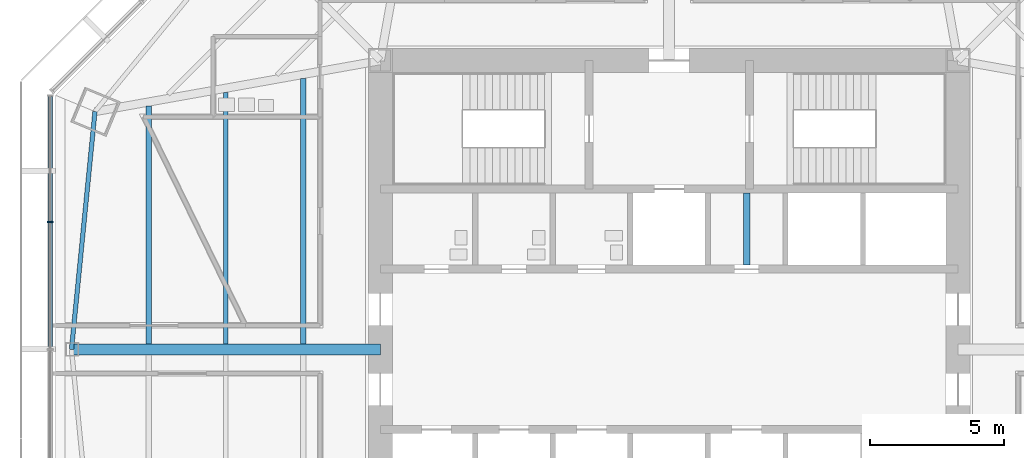
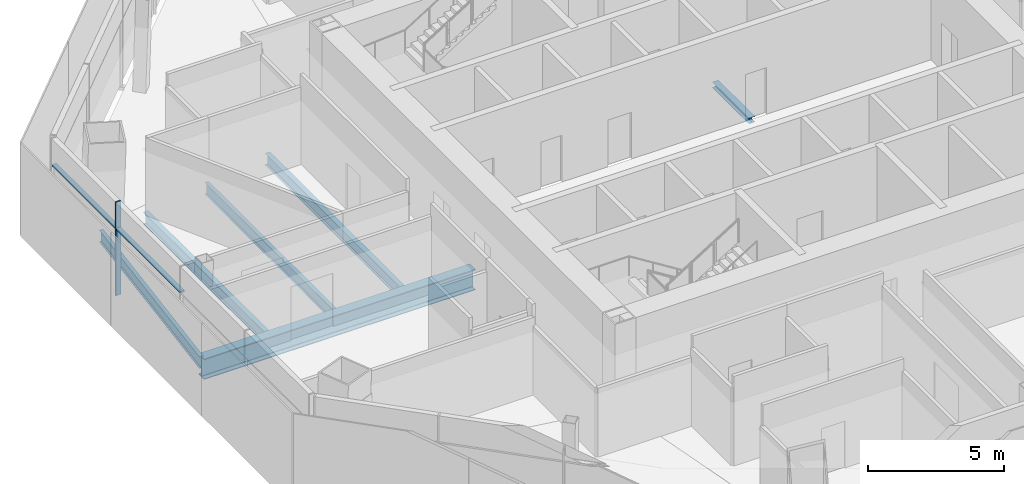
# One storey, part 3 of 15: 6 beams, 3 members, 1 element without a shape of its own.
"""IFC4 building model written with IfcOpenShell, lengths in metres."""

from ifc_helpers import new_model, si_unit, direction, frame, origin, origin_2d, place, context, subcontext, project, spatial, rectangle, i_section, extrude, source, transform, mapped, material, material_profile, profile_set, type_object, type_shapes, element, aggregate, save


model = new_model("IFC4")

# Units and contexts
model_context = context("Model", 3, precision=1e-05, world=origin(), true_north=direction((0.0, 1.0)))
body_context = subcontext(model_context, "Body", "Model", "MODEL_VIEW")
ifc_project = project(units=[si_unit("LENGTHUNIT", "METRE"), si_unit("AREAUNIT", "SQUARE_METRE"), si_unit("VOLUMEUNIT", "CUBIC_METRE"), si_unit("PLANEANGLEUNIT", "RADIAN"), si_unit("MASSUNIT", "GRAM", prefix="KILO")], contexts=[model_context])

# Site, building, storey
site_placement = place(None, origin())
site = spatial("IfcSite", under=ifc_project, at=site_placement, CompositionType="ELEMENT")
building_placement = place(site_placement, origin())
building = spatial("IfcBuilding", under=site, at=building_placement, Name="Mashrafa Tower", CompositionType="ELEMENT")
storey_placement = place(building_placement, frame((0.0, 0.0, 172.199951171875)))
storey = spatial("IfcBuildingStorey", under=building, at=storey_placement, Name="L39", CompositionType="ELEMENT", Elevation=172.199951171875)

# Beams
ifc_material_1 = material(Name="Steel ASTM A992", Category="steel")
ifc_material_profile_1 = material_profile(ifc_material_1, i_section(OverallWidth=0.1650390625, OverallDepth=0.52587890625, WebThickness=0.0087890625, FlangeThickness=0.011474609375, FilletRadius=0.0126953125, at=origin_2d()), Name="W21X44")
ifc_profile_set_1 = profile_set([ifc_material_profile_1], Name="Steel ASTM A992")
beam_type_1 = type_object("IfcBeamType", Name="Beam W21X44", PredefinedType="BEAM", material=ifc_profile_set_1)
beam_1_placement = place(storey_placement, frame((-16.573974609375, 0.20947265625, -0.427734375), z_axis=(0.0, 1.0, 0.0), x_axis=(-1.0, 0.0, 0.0)))
element("IfcBeam", 1, at=beam_1_placement, inside=storey, type_object=beam_type_1, Name="Floor beam L39 005", PredefinedType="BEAM", context=body_context, shape_type="SweptSolid", body=[
    extrude(i_section(OverallWidth=0.1650390625, OverallDepth=0.52587890625, WebThickness=0.0087890625, FlangeThickness=0.011474609375, FilletRadius=0.0126953125, at=origin_2d()), origin(), (0.0, 0.0, 1.0), 9.402587890625),
])
beam_2_placement = place(storey_placement, frame((-21.469970703125, 8.89306640625, -0.427734375), z_axis=(-0.098270183346, -0.995159771627, 0.0), x_axis=(0.995159771627, -0.098270183346, 0.0)))
element("IfcBeam", 2, at=beam_2_placement, inside=storey, type_object=beam_type_1, Name="Spandrel beam L39 059", PredefinedType="BEAM", context=body_context, shape_type="SweptSolid", body=[
    extrude(i_section(OverallWidth=0.1650390625, OverallDepth=0.52587890625, WebThickness=0.0087890625, FlangeThickness=0.011474609375, FilletRadius=0.0126953125, at=origin_2d()), origin(), (0.0, 0.0, 1.0), 8.936279296875),
])
ifc_material_2 = material(Name="Steel ASTM A992", Category="steel")
ifc_material_profile_2 = material_profile(ifc_material_2, i_section(OverallWidth=0.209228515625, OverallDepth=0.533447265625, WebThickness=0.01025390625, FlangeThickness=0.015625, FilletRadius=0.012939453125, at=origin_2d()), Name="W21X62")
ifc_profile_set_2 = profile_set([ifc_material_profile_2], Name="Steel ASTM A992")
beam_type_2 = type_object("IfcBeamType", Name="Beam W21X62", PredefinedType="BEAM", material=ifc_profile_set_2)
beam_3_placement = place(storey_placement, frame((-19.461181640625, 0.20947265625, -0.431640625), z_axis=(0.0, 1.0, 0.0), x_axis=(-1.0, 0.0, 0.0)))
element("IfcBeam", 3, at=beam_3_placement, inside=storey, type_object=beam_type_2, Name="Floor beam L39 002", PredefinedType="BEAM", context=body_context, shape_type="SweptSolid", body=[
    extrude(i_section(OverallWidth=0.209228515625, OverallDepth=0.533447265625, WebThickness=0.01025390625, FlangeThickness=0.015625, FilletRadius=0.012939453125, at=origin_2d()), origin(), (0.0, 0.0, 1.0), 8.886474609375),
])
beam_4_placement = place(storey_placement, frame((-13.68701171875, 0.20947265625, -0.431640625), z_axis=(0.0, 1.0, 0.0), x_axis=(-1.0, 0.0, 0.0)))
element("IfcBeam", 4, at=beam_4_placement, inside=storey, type_object=beam_type_2, Name="Floor beam L39 010", PredefinedType="BEAM", context=body_context, shape_type="SweptSolid", body=[
    extrude(i_section(OverallWidth=0.209228515625, OverallDepth=0.533447265625, WebThickness=0.01025390625, FlangeThickness=0.015625, FilletRadius=0.012939453125, at=origin_2d()), origin(), (0.0, 0.0, 1.0), 9.91845703125),
])
ifc_material_3 = material(Name="Steel ASTM A992", Category="steel")
ifc_material_profile_3 = material_profile(ifc_material_3, i_section(OverallWidth=0.419189453125, OverallDepth=0.927001953125, WebThickness=0.019287109375, FlangeThickness=0.031982421875, FilletRadius=0.020263671875, at=origin_2d()), Name="W36X231")
ifc_profile_set_3 = profile_set([ifc_material_profile_3], Name="Steel ASTM A992")
beam_type_3 = type_object("IfcBeamType", Name="Beam W36X231", PredefinedType="BEAM", material=ifc_profile_set_3)
beam_5_placement = place(storey_placement, frame((-10.800048828125, 0.0, -0.62841796875), z_axis=(-1.0, 0.0, 0.0), x_axis=(0.0, -1.0, 0.0)))
element("IfcBeam", 5, at=beam_5_placement, inside=storey, type_object=beam_type_3, Name="Radial girder L39 044", PredefinedType="BEAM", context=body_context, shape_type="SweptSolid", body=[
    extrude(i_section(OverallWidth=0.419189453125, OverallDepth=0.927001953125, WebThickness=0.019287109375, FlangeThickness=0.031982421875, FilletRadius=0.020263671875, at=origin_2d()), origin(), (0.0, 0.0, 1.0), 11.548095703125),
])
ifc_material_4 = material(Name="Steel ASTM A992", Category="steel")
ifc_material_profile_4 = material_profile(ifc_material_4, i_section(OverallWidth=0.25390625, OverallDepth=0.25390625, WebThickness=0.008544921875, FlangeThickness=0.01416015625, FilletRadius=0.010009765625, at=origin_2d()), Name="W10X49")
ifc_profile_set_4 = profile_set([ifc_material_profile_4], Name="Steel ASTM A992")
beam_type_4 = type_object("IfcBeamType", Name="Hoistway beam W10X49", PredefinedType="BEAM", material=ifc_profile_set_4)
beam_6_placement = place(storey_placement, frame((2.89990234375, 3.14990234375, -0.2919921875), z_axis=(0.0, 1.0, 0.0), x_axis=(-1.0, 0.0, 0.0)))
element("IfcBeam", 6, at=beam_6_placement, inside=storey, type_object=beam_type_4, Name="Hoistway beam L39 06", PredefinedType="BEAM", context=body_context, shape_type="SweptSolid", body=[
    extrude(i_section(OverallWidth=0.25390625, OverallDepth=0.25390625, WebThickness=0.008544921875, FlangeThickness=0.01416015625, FilletRadius=0.010009765625, at=origin_2d()), origin(), (0.0, 0.0, 1.0), 2.7001953125),
])

# Curtain wall, members
ifc_material_5 = material(Name="Unitised aluminium curtain wall", Category="aluminium")
curtain_wall_type = type_object("IfcCurtainWallType", Name="Office curtain wall, zone 2 CW-B 225 deep", PredefinedType="NOTDEFINED", material=ifc_material_5)
curtain_wall_placement = place(storey_placement, origin())
curtain_wall = element("IfcCurtainWall", 7, at=curtain_wall_placement, inside=storey, type_object=curtain_wall_type, Name="Office curtain wall, zone 2 L39 west", PredefinedType="NOTDEFINED")
ifc_material_6 = material(Name="Extruded aluminium mullion", Category="aluminium")
ifc_material_profile_5 = material_profile(ifc_material_6, rectangle(XDim=0.22509765625, YDim=0.06494140625, at=origin_2d()), Name="Mullion 65x225")
ifc_profile_set_5 = profile_set([ifc_material_profile_5], Name="Extruded aluminium mullion")
member_type_1 = type_object("IfcMemberType", Name="Mullion CW-B 65 x 225", PredefinedType="MULLION", material=ifc_profile_set_5)
shared_shape_1 = source(origin(), body_context, "Body", "SweptSolid", [
    extrude(rectangle(XDim=0.22509765625, YDim=0.06494140625, at=origin_2d()), origin(), (0.0, 0.0, 1.0), 4.199951171875),
])
type_shapes(member_type_1, [shared_shape_1])
member_1_placement = place(storey_placement, frame((-23.143310546875, 4.764892578125, 0.0), z_axis=(0.0, 0.0, 1.0), x_axis=(1.0, 0.0, 0.0)))
member_1 = element("IfcMember", 8, at=member_1_placement, type_object=member_type_1, Name="CW-B mullion 2", PredefinedType="MULLION", context=body_context, shape_type="MappedRepresentation", body=[
    mapped(shared_shape_1, transform((0.0, 0.0, 0.0))),
])
ifc_material_7 = material(Name="Extruded aluminium transom", Category="aluminium")
ifc_material_profile_6 = material_profile(ifc_material_7, rectangle(XDim=0.179931640625, YDim=0.080078125, at=origin_2d()), Name="Transom 80x180")
ifc_profile_set_6 = profile_set([ifc_material_profile_6], Name="Extruded aluminium transom")
member_type_2 = type_object("IfcMemberType", Name="Transom CW-B 80 x 180", PredefinedType="MULLION", material=ifc_profile_set_6)
shared_shape_2 = source(origin(), body_context, "Body", "SweptSolid", [
    extrude(rectangle(XDim=0.179931640625, YDim=0.080078125, at=origin_2d()), origin(), (0.0, 0.0, 1.0), 4.667236328125),
])
member_2_placement = place(storey_placement, frame((-23.143310546875, 9.464599609375, 3.0), z_axis=(0.0, -1.0, 0.0), x_axis=(1.0, 0.0, 0.0)))
member_2 = element("IfcMember", 9, at=member_2_placement, type_object=member_type_2, Name="CW-B transom 1", PredefinedType="MULLION", context=body_context, shape_type="MappedRepresentation", body=[
    mapped(shared_shape_2, transform((0.0, 0.0, 0.0))),
])
shared_shape_3 = source(origin(), body_context, "Body", "SweptSolid", [
    extrude(rectangle(XDim=0.179931640625, YDim=0.080078125, at=origin_2d()), origin(), (0.0, 0.0, 1.0), 4.699951171875),
])
type_shapes(member_type_2, [shared_shape_2, shared_shape_3])
member_3_placement = place(storey_placement, frame((-23.143310546875, 4.732421875, 3.0), z_axis=(0.0, -1.0, 0.0), x_axis=(1.0, 0.0, 0.0)))
member_3 = element("IfcMember", 10, at=member_3_placement, type_object=member_type_2, Name="CW-B transom 2", PredefinedType="MULLION", context=body_context, shape_type="MappedRepresentation", body=[
    mapped(shared_shape_3, transform((0.0, 0.0, 0.0))),
])
aggregate(curtain_wall, [member_1, member_2, member_3])

save(model, "model.ifc")
